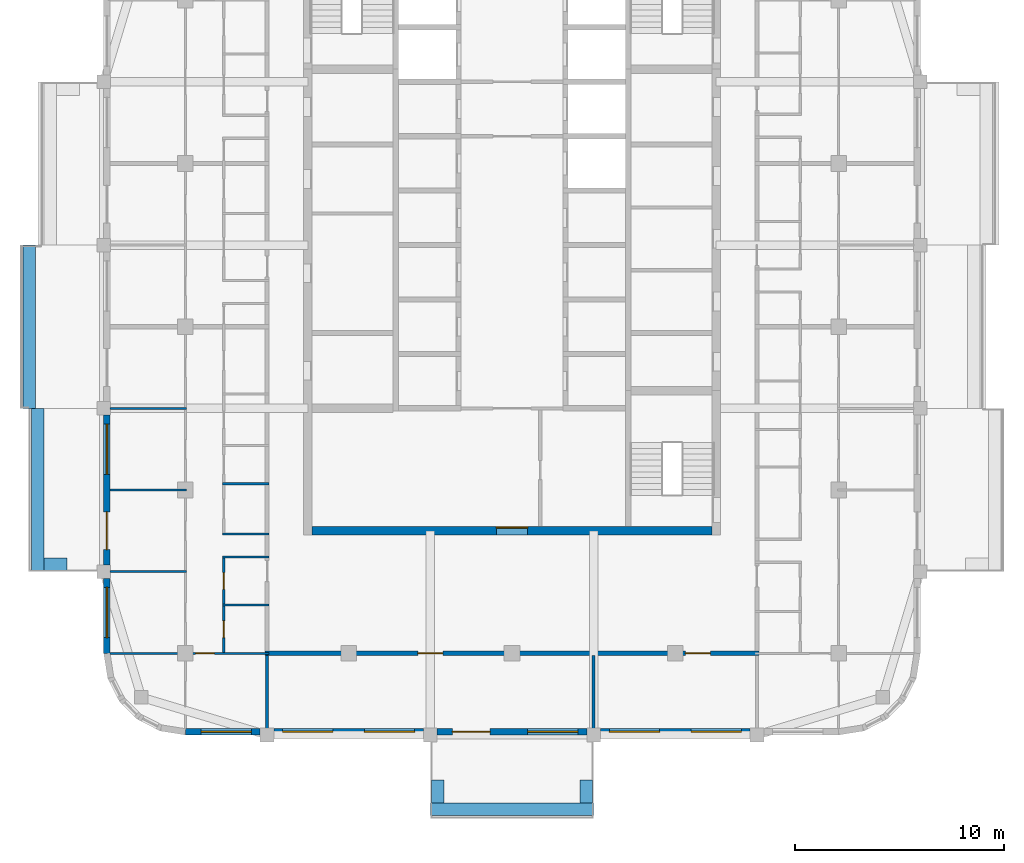
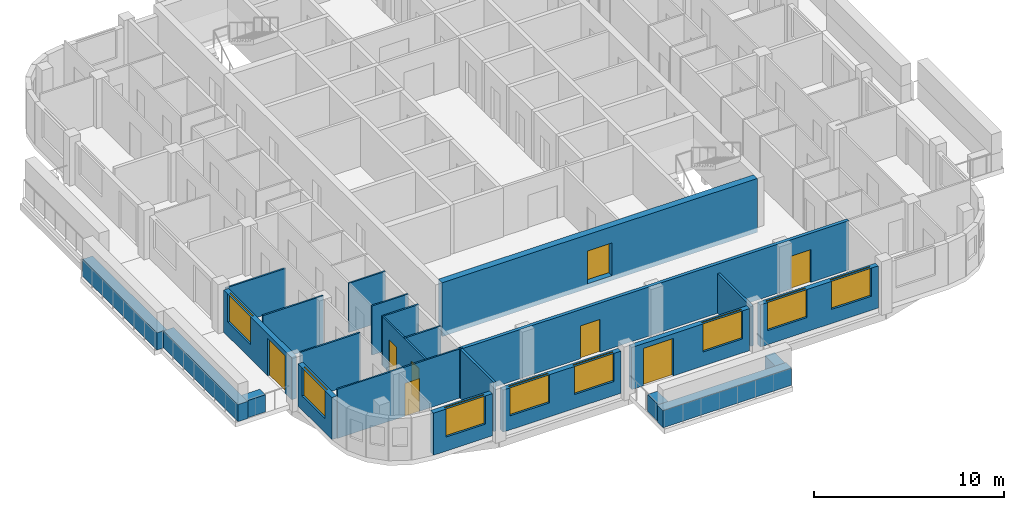
# One storey, part 2 of 13: 25 walls, 8 doors, 8 windows, 16 openings.
"""IFC4 building model written with IfcOpenShell, lengths in metres."""

from ifc_helpers import new_model, si_unit, direction, frame, frame_2d, origin, place, context, subcontext, project, spatial, rectangle, extrude, material, layer, layer_set, type_object, element, fill, save


model = new_model("IFC4")

# Units and contexts
model_context = context("Model", 3, precision=1e-05, world=origin(), true_north=direction((0.0, 1.0)))
body_context = subcontext(model_context, "Body", "Model", "MODEL_VIEW")
ifc_project = project(units=[si_unit("LENGTHUNIT", "METRE"), si_unit("AREAUNIT", "SQUARE_METRE"), si_unit("VOLUMEUNIT", "CUBIC_METRE"), si_unit("PLANEANGLEUNIT", "RADIAN"), si_unit("MASSUNIT", "GRAM", prefix="KILO")], contexts=[model_context])

# Site, building, storey
site_placement = place(None, origin())
site = spatial("IfcSite", under=ifc_project, at=site_placement, CompositionType="ELEMENT")
building_placement = place(site_placement, origin())
building = spatial("IfcBuilding", under=site, at=building_placement, Name="Ludao Terraces", CompositionType="ELEMENT")
storey_placement = place(building_placement, frame((0.0, 0.0, 246.0)))
storey = spatial("IfcBuildingStorey", under=building, at=storey_placement, Name="L67", CompositionType="ELEMENT", Elevation=246.0)

# Wall, opening, door
ifc_material_1 = material(Name="Concrete C50", Category="concrete")
ifc_layer_1 = layer(ifc_material_1, 0.39990234375)
ifc_layer_set_1 = layer_set([ifc_layer_1], Name="Core wall 400 C50")
wall_type_1 = type_object("IfcWallType", Name="Core wall 400 C50", PredefinedType="SOLIDWALL", material=ifc_layer_set_1)
wall_1_placement = place(storey_placement, frame((75.449951171875, 55.25, -0.300048828125), z_axis=(0.0, 0.0, 1.0), x_axis=(1.0, 0.0, 0.0)))
wall_1 = element("IfcWall", 1, at=wall_1_placement, inside=storey, type_object=wall_type_1, Name="Core wall L67 outer-S", PredefinedType="SOLIDWALL", context=body_context, shape_type="SweptSolid", body=[
    extrude(rectangle(XDim=19.10009765625, YDim=0.39990234375, at=frame_2d((9.550048828125, 0.0))), origin(), (0.0, 0.0, 1.0), 3.449951171875),
])
opening_1_placement = place(wall_1_placement, frame((8.800048828125, 0.0, 0.300048828125)))
opening_1 = element("IfcOpeningElement", 2, at=opening_1_placement, cuts=wall_1, Name="Opening R24-016", PredefinedType="OPENING", context=body_context, shape_type="SweptSolid", body=[
    extrude(rectangle(XDim=1.5, YDim=2.10009765625, at=frame_2d((0.75, 1.050048828125))), frame((0.0, 0.2099609375, 0.0), z_axis=(0.0, -1.0, 0.0), x_axis=(1.0, 0.0, 0.0)), (0.0, 0.0, 1.0), 0.419921875),
])
ifc_material_2 = material(Name="Steel Q235", Category="steel")
door_type_1 = type_object("IfcDoorType", Name="INT Lobby door 1500", OperationType="DOUBLE_DOOR_SINGLE_SWING", PredefinedType="DOOR", material=ifc_material_2)
door_1_placement = place(opening_1_placement, origin())
door_1 = element("IfcDoor", 3, at=door_1_placement, inside=storey, type_object=door_type_1, Name="DOOR 016", OperationType="DOUBLE_DOOR_SINGLE_SWING", OverallHeight=2.10009765625, OverallWidth=1.5, PredefinedType="DOOR", context=body_context, shape_type="SweptSolid", body=[
    extrude(rectangle(XDim=1.5, YDim=2.10009765625, at=frame_2d((0.75, 1.050048828125))), frame((0.0, 0.18505859375, 0.0), z_axis=(0.0, -1.0, 0.0), x_axis=(1.0, 0.0, 0.0)), (0.0, 0.0, 1.0), 0.050048828125),
])
fill(opening_1, door_1)

# Walls
ifc_material_3 = material(Name="Concrete C40", Category="concrete")
ifc_layer_2 = layer(ifc_material_3, 0.60009765625)
ifc_layer_set_2 = layer_set([ifc_layer_2], Name="ENV Planter trough 600")
wall_type_2 = type_object("IfcWallType", Name="ENV Planter trough 600", PredefinedType="USERDEFINED", material=ifc_layer_set_2)
wall_2_placement = place(storey_placement, frame((81.10009765625, 41.949951171875, 0.0), z_axis=(0.0, 0.0, 1.0), x_axis=(1.0, 0.0, 0.0)))
element("IfcWall", 4, at=wall_2_placement, inside=storey, type_object=wall_type_2, Name="PL-L67-S1", ObjectType="PLANTER", PredefinedType="USERDEFINED", context=body_context, shape_type="SweptSolid", body=[
    extrude(rectangle(XDim=7.7998046875, YDim=0.60009765625, at=frame_2d((3.89990234375, 0.0))), origin(), (0.0, 0.0, 1.0), 1.10009765625),
])
for number, where, z_axis, x_axis, name in (
    (5, (81.449951171875, 42.25, 0.0), (0.0, 0.0, 1.0), (0.0, 1.0, 0.0), "PL-L67-S1-SA"),
    (6, (88.550048828125, 42.25, 0.0), (0.0, 0.0, 1.0), (0.0, 1.0, 0.0), "PL-L67-S1-SB"),
):
    element("IfcWall", number, at=place(storey_placement, frame(where, z_axis=z_axis, x_axis=x_axis)), inside=storey, type_object=wall_type_2, Name=name, ObjectType="PLANTER", PredefinedType="USERDEFINED", context=body_context, shape_type="SweptSolid", body=[
        extrude(rectangle(XDim=1.10009765625, YDim=0.60009765625, at=frame_2d((0.550048828125, 0.0))), origin(), (0.0, 0.0, 1.0), 1.10009765625),
    ])
wall_3_placement = place(storey_placement, frame((62.35009765625, 53.300048828125, 0.0), z_axis=(0.0, 0.0, 1.0), x_axis=(0.0, 1.0, 0.0)))
element("IfcWall", 7, at=wall_3_placement, inside=storey, type_object=wall_type_2, Name="PL-L67-W1", ObjectType="PLANTER", PredefinedType="USERDEFINED", context=body_context, shape_type="SweptSolid", body=[
    extrude(rectangle(XDim=7.800048828125, YDim=0.60009765625, at=frame_2d((3.89990234375, 0.0))), origin(), (0.0, 0.0, 1.0), 1.10009765625),
])
wall_4_placement = place(storey_placement, frame((62.64990234375, 53.64990234375, 0.0), z_axis=(0.0, 0.0, 1.0), x_axis=(1.0, 0.0, 0.0)))
element("IfcWall", 8, at=wall_4_placement, inside=storey, type_object=wall_type_2, Name="PL-L67-W1-SA", ObjectType="PLANTER", PredefinedType="USERDEFINED", context=body_context, shape_type="SweptSolid", body=[
    extrude(rectangle(XDim=1.10009765625, YDim=0.60009765625, at=frame_2d((0.550048828125, 0.0))), origin(), (0.0, 0.0, 1.0), 1.10009765625),
])
wall_5_placement = place(storey_placement, frame((61.949951171875, 61.10009765625, 0.0), z_axis=(0.0, 0.0, 1.0), x_axis=(0.0, 1.0, 0.0)))
element("IfcWall", 9, at=wall_5_placement, inside=storey, type_object=wall_type_2, Name="PL-L67-W2", ObjectType="PLANTER", PredefinedType="USERDEFINED", context=body_context, shape_type="SweptSolid", body=[
    extrude(rectangle(XDim=7.7998046875, YDim=0.60009765625, at=frame_2d((3.89990234375, 0.0))), origin(), (0.0, 0.0, 1.0), 1.10009765625),
])

# Wall, opening, window
ifc_material_4 = material(Name="Granite cladding", Category="masonry")
ifc_layer_3 = layer(ifc_material_4, 0.0400390625, Category="stone")
ifc_material_5 = material(Name="Mineral wool")
ifc_layer_4 = layer(ifc_material_5, 0.06005859375)
ifc_layer_5 = layer(ifc_material_3, 0.199951171875, Category="concrete")
ifc_layer_set_3 = layer_set([ifc_layer_3, ifc_layer_4, ifc_layer_5], Name="ENV Stone-clad wall 300")
wall_type_3 = type_object("IfcWallType", Name="ENV Stone-clad wall 300", PredefinedType="SOLIDWALL", material=ifc_layer_set_3)
wall_6_placement = place(storey_placement, frame((69.39990234375, 45.64990234375, 0.0), z_axis=(0.0, 0.0, 1.0), x_axis=(1.0, 0.0, 0.0)))
wall_6 = element("IfcWall", 10, at=wall_6_placement, inside=storey, type_object=wall_type_3, Name="EW-L67-S1", PredefinedType="SOLIDWALL", context=body_context, shape_type="SweptSolid", body=[
    extrude(rectangle(XDim=3.5751953125, YDim=0.300048828125, at=frame_2d((1.78759765625, 0.0))), origin(), (0.0, 0.0, 1.0), 2.699951171875),
])
opening_2_placement = place(wall_6_placement, frame((0.75, 0.0, 0.89990234375)))
opening_2 = element("IfcOpeningElement", 11, at=opening_2_placement, cuts=wall_6, Name="Opening W1", PredefinedType="OPENING", context=body_context, shape_type="SweptSolid", body=[
    extrude(rectangle(XDim=2.39990234375, YDim=1.800048828125, at=frame_2d((1.199951171875, 0.89990234375))), frame((0.0, 0.16015625, 0.0), z_axis=(0.0, -1.0, 0.0), x_axis=(1.0, 0.0, 0.0)), (0.0, 0.0, 1.0), 0.320068359375),
])
ifc_material_6 = material(Name="Clear glass in aluminium frame", Category="aluminium")
ifc_layer_6 = layer(ifc_material_6, 0.06005859375)
ifc_layer_set_4 = layer_set([ifc_layer_6], Name="ENV Window W1 2400x1800")
window_type = type_object("IfcWindowType", Name="ENV Window W1 2400x1800", PartitioningType="DOUBLE_PANEL_VERTICAL", PredefinedType="WINDOW", material=ifc_layer_set_4)
window_1_placement = place(opening_2_placement, origin())
window_1 = element("IfcWindow", 12, at=window_1_placement, inside=storey, type_object=window_type, Name="W-L67-S1-1", OverallHeight=1.800048828125, OverallWidth=2.39990234375, PartitioningType="DOUBLE_PANEL_VERTICAL", PredefinedType="WINDOW", context=body_context, shape_type="SweptSolid", body=[
    extrude(rectangle(XDim=2.39990234375, YDim=1.800048828125, at=frame_2d((1.199951171875, 0.89990234375))), frame((0.0, 0.030029296875, 0.0), z_axis=(0.0, -1.0, 0.0), x_axis=(1.0, 0.0, 0.0)), (0.0, 0.0, 1.0), 0.06005859375),
])
fill(opening_2, window_1)

# Wall, openings, windows
wall_7_placement = place(storey_placement, frame((73.625, 45.64990234375, 0.0), z_axis=(0.0, 0.0, 1.0), x_axis=(1.0, 0.0, 0.0)))
wall_7 = element("IfcWall", 13, at=wall_7_placement, inside=storey, type_object=wall_type_3, Name="EW-L67-S2", PredefinedType="SOLIDWALL", context=body_context, shape_type="SweptSolid", body=[
    extrude(rectangle(XDim=7.14990234375, YDim=0.300048828125, at=frame_2d((3.574951171875, 0.0))), origin(), (0.0, 0.0, 1.0), 2.699951171875),
])
opening_3_placement = place(wall_7_placement, frame((0.425048828125, 0.0, 0.89990234375)))
opening_3 = element("IfcOpeningElement", 14, at=opening_3_placement, cuts=wall_7, Name="Opening W1", PredefinedType="OPENING", context=body_context, shape_type="SweptSolid", body=[
    extrude(rectangle(XDim=2.39990234375, YDim=1.800048828125, at=frame_2d((1.199951171875, 0.89990234375))), frame((0.0, 0.16015625, 0.0), z_axis=(0.0, -1.0, 0.0), x_axis=(1.0, 0.0, 0.0)), (0.0, 0.0, 1.0), 0.320068359375),
])
opening_4_placement = place(wall_7_placement, frame((4.324951171875, 0.0, 0.89990234375)))
opening_4 = element("IfcOpeningElement", 15, at=opening_4_placement, cuts=wall_7, Name="Opening W1", PredefinedType="OPENING", context=body_context, shape_type="SweptSolid", body=[
    extrude(rectangle(XDim=2.39990234375, YDim=1.800048828125, at=frame_2d((1.199951171875, 0.89990234375))), frame((0.0, 0.16015625, 0.0), z_axis=(0.0, -1.0, 0.0), x_axis=(1.0, 0.0, 0.0)), (0.0, 0.0, 1.0), 0.320068359375),
])
window_2_placement = place(opening_3_placement, origin())
window_2 = element("IfcWindow", 16, at=window_2_placement, inside=storey, type_object=window_type, Name="W-L67-S2-1", OverallHeight=1.800048828125, OverallWidth=2.39990234375, PartitioningType="DOUBLE_PANEL_VERTICAL", PredefinedType="WINDOW", context=body_context, shape_type="SweptSolid", body=[
    extrude(rectangle(XDim=2.39990234375, YDim=1.800048828125, at=frame_2d((1.199951171875, 0.89990234375))), frame((0.0, 0.030029296875, 0.0), z_axis=(0.0, -1.0, 0.0), x_axis=(1.0, 0.0, 0.0)), (0.0, 0.0, 1.0), 0.06005859375),
])
fill(opening_3, window_2)
window_3_placement = place(opening_4_placement, origin())
window_3 = element("IfcWindow", 17, at=window_3_placement, inside=storey, type_object=window_type, Name="W-L67-S2-2", OverallHeight=1.800048828125, OverallWidth=2.39990234375, PartitioningType="DOUBLE_PANEL_VERTICAL", PredefinedType="WINDOW", context=body_context, shape_type="SweptSolid", body=[
    extrude(rectangle(XDim=2.39990234375, YDim=1.800048828125, at=frame_2d((1.199951171875, 0.89990234375))), frame((0.0, 0.030029296875, 0.0), z_axis=(0.0, -1.0, 0.0), x_axis=(1.0, 0.0, 0.0)), (0.0, 0.0, 1.0), 0.06005859375),
])
fill(opening_4, window_3)

# Wall, openings, door, window
wall_8_placement = place(storey_placement, frame((81.425048828125, 45.64990234375, 0.0), z_axis=(0.0, 0.0, 1.0), x_axis=(1.0, 0.0, 0.0)))
wall_8 = element("IfcWall", 18, at=wall_8_placement, inside=storey, type_object=wall_type_3, Name="EW-L67-S3", PredefinedType="SOLIDWALL", context=body_context, shape_type="SweptSolid", body=[
    extrude(rectangle(XDim=7.14990234375, YDim=0.300048828125, at=frame_2d((3.574951171875, 0.0))), origin(), (0.0, 0.0, 1.0), 2.699951171875),
])
opening_5_placement = place(wall_8_placement, frame((0.72509765625, 0.0, 0.0)))
opening_5 = element("IfcOpeningElement", 19, at=opening_5_placement, cuts=wall_8, Name="Opening BD", PredefinedType="OPENING", context=body_context, shape_type="SweptSolid", body=[
    extrude(rectangle(XDim=1.800048828125, YDim=2.39990234375, at=frame_2d((0.89990234375, 1.199951171875))), frame((0.0, 0.16015625, 0.0), z_axis=(0.0, -1.0, 0.0), x_axis=(1.0, 0.0, 0.0)), (0.0, 0.0, 1.0), 0.320068359375),
])
opening_6_placement = place(wall_8_placement, frame((4.324951171875, 0.0, 0.89990234375)))
opening_6 = element("IfcOpeningElement", 20, at=opening_6_placement, cuts=wall_8, Name="Opening W1", PredefinedType="OPENING", context=body_context, shape_type="SweptSolid", body=[
    extrude(rectangle(XDim=2.39990234375, YDim=1.800048828125, at=frame_2d((1.199951171875, 0.89990234375))), frame((0.0, 0.16015625, 0.0), z_axis=(0.0, -1.0, 0.0), x_axis=(1.0, 0.0, 0.0)), (0.0, 0.0, 1.0), 0.320068359375),
])
ifc_material_7 = material(Name="Aluminium glazed door", Category="aluminium")
ifc_layer_7 = layer(ifc_material_7, 0.06005859375)
ifc_layer_set_5 = layer_set([ifc_layer_7], Name="ENV Balcony door BD 1800x2400")
door_type_2 = type_object("IfcDoorType", Name="ENV Balcony door BD 1800x2400", OperationType="DOUBLE_DOOR_SINGLE_SWING", PredefinedType="DOOR", material=ifc_layer_set_5)
door_2_placement = place(opening_5_placement, origin())
door_2 = element("IfcDoor", 21, at=door_2_placement, inside=storey, type_object=door_type_2, Name="BD-L67-S3-1", OperationType="DOUBLE_DOOR_SINGLE_SWING", OverallHeight=2.39990234375, OverallWidth=1.800048828125, PredefinedType="DOOR", context=body_context, shape_type="SweptSolid", body=[
    extrude(rectangle(XDim=1.800048828125, YDim=2.39990234375, at=frame_2d((0.89990234375, 1.199951171875))), frame((0.0, 0.02490234375, 0.0), z_axis=(0.0, -1.0, 0.0), x_axis=(1.0, 0.0, 0.0)), (0.0, 0.0, 1.0), 0.050048828125),
])
fill(opening_5, door_2)
window_4_placement = place(opening_6_placement, origin())
window_4 = element("IfcWindow", 22, at=window_4_placement, inside=storey, type_object=window_type, Name="W-L67-S3-2", OverallHeight=1.800048828125, OverallWidth=2.39990234375, PartitioningType="DOUBLE_PANEL_VERTICAL", PredefinedType="WINDOW", context=body_context, shape_type="SweptSolid", body=[
    extrude(rectangle(XDim=2.39990234375, YDim=1.800048828125, at=frame_2d((1.199951171875, 0.89990234375))), frame((0.0, 0.030029296875, 0.0), z_axis=(0.0, -1.0, 0.0), x_axis=(1.0, 0.0, 0.0)), (0.0, 0.0, 1.0), 0.06005859375),
])
fill(opening_6, window_4)

# Wall, openings, windows
wall_9_placement = place(storey_placement, frame((89.22509765625, 45.64990234375, 0.0), z_axis=(0.0, 0.0, 1.0), x_axis=(1.0, 0.0, 0.0)))
wall_9 = element("IfcWall", 23, at=wall_9_placement, inside=storey, type_object=wall_type_3, Name="EW-L67-S4", PredefinedType="SOLIDWALL", context=body_context, shape_type="SweptSolid", body=[
    extrude(rectangle(XDim=7.14990234375, YDim=0.300048828125, at=frame_2d((3.574951171875, 0.0))), origin(), (0.0, 0.0, 1.0), 2.699951171875),
])
opening_7_placement = place(wall_9_placement, frame((0.425048828125, 0.0, 0.89990234375)))
opening_7 = element("IfcOpeningElement", 24, at=opening_7_placement, cuts=wall_9, Name="Opening W1", PredefinedType="OPENING", context=body_context, shape_type="SweptSolid", body=[
    extrude(rectangle(XDim=2.39990234375, YDim=1.800048828125, at=frame_2d((1.199951171875, 0.89990234375))), frame((0.0, 0.16015625, 0.0), z_axis=(0.0, -1.0, 0.0), x_axis=(1.0, 0.0, 0.0)), (0.0, 0.0, 1.0), 0.320068359375),
])
opening_8_placement = place(wall_9_placement, frame((4.324951171875, 0.0, 0.89990234375)))
opening_8 = element("IfcOpeningElement", 25, at=opening_8_placement, cuts=wall_9, Name="Opening W1", PredefinedType="OPENING", context=body_context, shape_type="SweptSolid", body=[
    extrude(rectangle(XDim=2.39990234375, YDim=1.800048828125, at=frame_2d((1.199951171875, 0.89990234375))), frame((0.0, 0.16015625, 0.0), z_axis=(0.0, -1.0, 0.0), x_axis=(1.0, 0.0, 0.0)), (0.0, 0.0, 1.0), 0.320068359375),
])
window_5_placement = place(opening_7_placement, origin())
window_5 = element("IfcWindow", 26, at=window_5_placement, inside=storey, type_object=window_type, Name="W-L67-S4-1", OverallHeight=1.800048828125, OverallWidth=2.39990234375, PartitioningType="DOUBLE_PANEL_VERTICAL", PredefinedType="WINDOW", context=body_context, shape_type="SweptSolid", body=[
    extrude(rectangle(XDim=2.39990234375, YDim=1.800048828125, at=frame_2d((1.199951171875, 0.89990234375))), frame((0.0, 0.030029296875, 0.0), z_axis=(0.0, -1.0, 0.0), x_axis=(1.0, 0.0, 0.0)), (0.0, 0.0, 1.0), 0.06005859375),
])
fill(opening_7, window_5)
window_6_placement = place(opening_8_placement, origin())
window_6 = element("IfcWindow", 27, at=window_6_placement, inside=storey, type_object=window_type, Name="W-L67-S4-2", OverallHeight=1.800048828125, OverallWidth=2.39990234375, PartitioningType="DOUBLE_PANEL_VERTICAL", PredefinedType="WINDOW", context=body_context, shape_type="SweptSolid", body=[
    extrude(rectangle(XDim=2.39990234375, YDim=1.800048828125, at=frame_2d((1.199951171875, 0.89990234375))), frame((0.0, 0.030029296875, 0.0), z_axis=(0.0, -1.0, 0.0), x_axis=(1.0, 0.0, 0.0)), (0.0, 0.0, 1.0), 0.06005859375),
])
fill(opening_8, window_6)

# Wall, opening, window
wall_10_placement = place(storey_placement, frame((65.64990234375, 49.39990234375, 0.0), z_axis=(0.0, 0.0, 1.0), x_axis=(0.0, 1.0, 0.0)))
wall_10 = element("IfcWall", 28, at=wall_10_placement, inside=storey, type_object=wall_type_3, Name="EW-L67-W1", PredefinedType="SOLIDWALL", context=body_context, shape_type="SweptSolid", body=[
    extrude(rectangle(XDim=3.5751953125, YDim=0.300048828125, at=frame_2d((1.78759765625, 0.0))), origin(), (0.0, 0.0, 1.0), 2.699951171875),
])
opening_9_placement = place(wall_10_placement, frame((0.75, 0.0, 0.89990234375)))
opening_9 = element("IfcOpeningElement", 29, at=opening_9_placement, cuts=wall_10, Name="Opening W1", PredefinedType="OPENING", context=body_context, shape_type="SweptSolid", body=[
    extrude(rectangle(XDim=2.39990234375, YDim=1.800048828125, at=frame_2d((1.199951171875, 0.89990234375))), frame((0.0, 0.16015625, 0.0), z_axis=(0.0, -1.0, 0.0), x_axis=(1.0, 0.0, 0.0)), (0.0, 0.0, 1.0), 0.320068359375),
])
window_7_placement = place(opening_9_placement, origin())
window_7 = element("IfcWindow", 30, at=window_7_placement, inside=storey, type_object=window_type, Name="W-L67-W1-1", OverallHeight=1.800048828125, OverallWidth=2.39990234375, PartitioningType="DOUBLE_PANEL_VERTICAL", PredefinedType="WINDOW", context=body_context, shape_type="SweptSolid", body=[
    extrude(rectangle(XDim=2.39990234375, YDim=1.800048828125, at=frame_2d((1.199951171875, 0.89990234375))), frame((0.0, 0.030029296875, 0.0), z_axis=(0.0, -1.0, 0.0), x_axis=(1.0, 0.0, 0.0)), (0.0, 0.0, 1.0), 0.06005859375),
])
fill(opening_9, window_7)

# Wall, openings, door, window
wall_11_placement = place(storey_placement, frame((65.64990234375, 53.625, 0.0), z_axis=(0.0, 0.0, 1.0), x_axis=(0.0, 1.0, 0.0)))
wall_11 = element("IfcWall", 31, at=wall_11_placement, inside=storey, type_object=wall_type_3, Name="EW-L67-W2", PredefinedType="SOLIDWALL", context=body_context, shape_type="SweptSolid", body=[
    extrude(rectangle(XDim=7.14990234375, YDim=0.300048828125, at=frame_2d((3.574951171875, 0.0))), origin(), (0.0, 0.0, 1.0), 2.699951171875),
])
opening_10_placement = place(wall_11_placement, frame((0.72509765625, 0.0, 0.0)))
opening_10 = element("IfcOpeningElement", 32, at=opening_10_placement, cuts=wall_11, Name="Opening BD", PredefinedType="OPENING", context=body_context, shape_type="SweptSolid", body=[
    extrude(rectangle(XDim=1.800048828125, YDim=2.39990234375, at=frame_2d((0.89990234375, 1.199951171875))), frame((0.0, 0.16015625, 0.0), z_axis=(0.0, -1.0, 0.0), x_axis=(1.0, 0.0, 0.0)), (0.0, 0.0, 1.0), 0.320068359375),
])
opening_11_placement = place(wall_11_placement, frame((4.324951171875, 0.0, 0.89990234375)))
opening_11 = element("IfcOpeningElement", 33, at=opening_11_placement, cuts=wall_11, Name="Opening W1", PredefinedType="OPENING", context=body_context, shape_type="SweptSolid", body=[
    extrude(rectangle(XDim=2.39990234375, YDim=1.800048828125, at=frame_2d((1.199951171875, 0.89990234375))), frame((0.0, 0.16015625, 0.0), z_axis=(0.0, -1.0, 0.0), x_axis=(1.0, 0.0, 0.0)), (0.0, 0.0, 1.0), 0.320068359375),
])
door_3_placement = place(opening_10_placement, origin())
door_3 = element("IfcDoor", 34, at=door_3_placement, inside=storey, type_object=door_type_2, Name="BD-L67-W2-1", OperationType="DOUBLE_DOOR_SINGLE_SWING", OverallHeight=2.39990234375, OverallWidth=1.800048828125, PredefinedType="DOOR", context=body_context, shape_type="SweptSolid", body=[
    extrude(rectangle(XDim=1.800048828125, YDim=2.39990234375, at=frame_2d((0.89990234375, 1.199951171875))), frame((0.0, 0.02490234375, 0.0), z_axis=(0.0, -1.0, 0.0), x_axis=(1.0, 0.0, 0.0)), (0.0, 0.0, 1.0), 0.050048828125),
])
fill(opening_10, door_3)
window_8_placement = place(opening_11_placement, origin())
window_8 = element("IfcWindow", 35, at=window_8_placement, inside=storey, type_object=window_type, Name="W-L67-W2-2", OverallHeight=1.800048828125, OverallWidth=2.39990234375, PartitioningType="DOUBLE_PANEL_VERTICAL", PredefinedType="WINDOW", context=body_context, shape_type="SweptSolid", body=[
    extrude(rectangle(XDim=2.39990234375, YDim=1.800048828125, at=frame_2d((1.199951171875, 0.89990234375))), frame((0.0, 0.030029296875, 0.0), z_axis=(0.0, -1.0, 0.0), x_axis=(1.0, 0.0, 0.0)), (0.0, 0.0, 1.0), 0.06005859375),
])
fill(opening_11, window_8)

# Wall, openings, doors
ifc_material_8 = material(Name="Autoclaved aerated concrete block B06 A3.5", Category="concrete")
ifc_layer_8 = layer(ifc_material_8, 0.199951171875)
ifc_layer_set_6 = layer_set([ifc_layer_8], Name="INT Entrance wall 200")
wall_type_4 = type_object("IfcWallType", Name="INT Entrance wall 200", PredefinedType="PARTITIONING", material=ifc_layer_set_6)
wall_12_placement = place(storey_placement, frame((73.2001953125, 49.39990234375, 0.0), z_axis=(0.0, 0.0, 1.0), x_axis=(1.0, 0.0, 0.0)))
wall_12 = element("IfcWall", 36, at=wall_12_placement, inside=storey, type_object=wall_type_4, Name="PW-L67-PW001", PredefinedType="PARTITIONING", context=body_context, shape_type="SweptSolid", body=[
    extrude(rectangle(XDim=23.599853515625, YDim=0.199951171875, at=frame_2d((11.7998046875, 0.0))), origin(), (0.0, 0.0, 1.0), 3.14990234375),
])
opening_12_placement = place(wall_12_placement, frame((7.2998046875, 0.0, 0.0)))
opening_12 = element("IfcOpeningElement", 37, at=opening_12_placement, cuts=wall_12, Name="Opening R24-004", PredefinedType="OPENING", context=body_context, shape_type="SweptSolid", body=[
    extrude(rectangle(XDim=1.199951171875, YDim=2.10009765625, at=frame_2d((0.60009765625, 1.050048828125))), frame((0.0, 0.10986328125, 0.0), z_axis=(0.0, -1.0, 0.0), x_axis=(1.0, 0.0, 0.0)), (0.0, 0.0, 1.0), 0.219970703125),
])
opening_13_placement = place(wall_12_placement, frame((20.074951171875, 0.0, 0.0)))
opening_13 = element("IfcOpeningElement", 38, at=opening_13_placement, cuts=wall_12, Name="Opening R24-005", PredefinedType="OPENING", context=body_context, shape_type="SweptSolid", body=[
    extrude(rectangle(XDim=1.199951171875, YDim=2.10009765625, at=frame_2d((0.60009765625, 1.050048828125))), frame((0.0, 0.10986328125, 0.0), z_axis=(0.0, -1.0, 0.0), x_axis=(1.0, 0.0, 0.0)), (0.0, 0.0, 1.0), 0.219970703125),
])
ifc_material_9 = material(Name="Timber door leaf", Category="wood")
door_type_3 = type_object("IfcDoorType", Name="INT Double door 1200", OperationType="DOUBLE_DOOR_SINGLE_SWING", PredefinedType="DOOR", material=ifc_material_9)
door_4_placement = place(opening_12_placement, origin())
door_4 = element("IfcDoor", 39, at=door_4_placement, inside=storey, type_object=door_type_3, Name="DOOR 004", OperationType="DOUBLE_DOOR_SINGLE_SWING", OverallHeight=2.10009765625, OverallWidth=1.199951171875, PredefinedType="DOOR", context=body_context, shape_type="SweptSolid", body=[
    extrude(rectangle(XDim=1.199951171875, YDim=2.10009765625, at=frame_2d((0.60009765625, 1.050048828125))), frame((0.0, 0.02490234375, 0.0), z_axis=(0.0, -1.0, 0.0), x_axis=(1.0, 0.0, 0.0)), (0.0, 0.0, 1.0), 0.050048828125),
])
fill(opening_12, door_4)
door_5_placement = place(opening_13_placement, origin())
door_5 = element("IfcDoor", 40, at=door_5_placement, inside=storey, type_object=door_type_3, Name="DOOR 005", OperationType="DOUBLE_DOOR_SINGLE_SWING", OverallHeight=2.10009765625, OverallWidth=1.199951171875, PredefinedType="DOOR", context=body_context, shape_type="SweptSolid", body=[
    extrude(rectangle(XDim=1.199951171875, YDim=2.10009765625, at=frame_2d((0.60009765625, 1.050048828125))), frame((0.0, 0.02490234375, 0.0), z_axis=(0.0, -1.0, 0.0), x_axis=(1.0, 0.0, 0.0)), (0.0, 0.0, 1.0), 0.050048828125),
])
fill(opening_13, door_5)

# Wall, opening, door
ifc_material_10 = material(Name="Gypsum plasterboard", Category="gypsum")
ifc_layer_9 = layer(ifc_material_10, 0.012451171875, Category="gypsum")
ifc_layer_10 = layer(ifc_material_5, 0.06005859375, Name="insulation")
ifc_layer_11 = layer(ifc_material_2, 0.014892578125, Name="stud")
ifc_layer_12 = layer(ifc_material_10, 0.012451171875, Category="gypsum")
ifc_layer_set_7 = layer_set([ifc_layer_9, ifc_layer_10, ifc_layer_11, ifc_layer_12], Name="INT Partition 100")
wall_type_5 = type_object("IfcWallType", Name="INT Partition 100", PredefinedType="PARTITIONING", material=ifc_layer_set_7)
wall_13_placement = place(storey_placement, frame((65.800048828125, 49.39990234375, 0.0), z_axis=(0.0, 0.0, 1.0), x_axis=(1.0, 0.0, 0.0)))
wall_13 = element("IfcWall", 41, at=wall_13_placement, inside=storey, type_object=wall_type_5, Name="PW-L67-PW000", PredefinedType="PARTITIONING", context=body_context, shape_type="SweptSolid", body=[
    extrude(rectangle(XDim=7.60009765625, YDim=0.10009765625, at=frame_2d((3.800048828125, 0.0))), origin(), (0.0, 0.0, 1.0), 3.14990234375),
])
opening_14_placement = place(wall_13_placement, frame((4.090087890625, 0.0, 0.0)))
opening_14 = element("IfcOpeningElement", 42, at=opening_14_placement, cuts=wall_13, Name="Opening R24-003", PredefinedType="OPENING", context=body_context, shape_type="SweptSolid", body=[
    extrude(rectangle(XDim=0.89990234375, YDim=2.10009765625, at=frame_2d((0.449951171875, 1.050048828125))), frame((0.0, 0.06005859375, 0.0), z_axis=(0.0, -1.0, 0.0), x_axis=(1.0, 0.0, 0.0)), (0.0, 0.0, 1.0), 0.1201171875),
])
door_type_4 = type_object("IfcDoorType", Name="INT Room door 900", OperationType="SINGLE_SWING_LEFT", PredefinedType="DOOR", material=ifc_material_9)
door_6_placement = place(opening_14_placement, origin())
door_6 = element("IfcDoor", 43, at=door_6_placement, inside=storey, type_object=door_type_4, Name="DOOR 003", OperationType="SINGLE_SWING_RIGHT", OverallHeight=2.10009765625, OverallWidth=0.89990234375, PredefinedType="DOOR", context=body_context, shape_type="SweptSolid", body=[
    extrude(rectangle(XDim=0.89990234375, YDim=2.10009765625, at=frame_2d((0.449951171875, 1.050048828125))), frame((0.0, 0.02490234375, 0.0), z_axis=(0.0, -1.0, 0.0), x_axis=(1.0, 0.0, 0.0)), (0.0, 0.0, 1.0), 0.050048828125),
])
fill(opening_14, door_6)

# Walls
wall_14_placement = place(storey_placement, frame((71.18017578125, 51.699951171875, 0.0), z_axis=(0.0, 0.0, 1.0), x_axis=(1.0, 0.0, 0.0)))
element("IfcWall", 44, at=wall_14_placement, inside=storey, type_object=wall_type_5, Name="PW-L67-PW004", PredefinedType="PARTITIONING", context=body_context, shape_type="SweptSolid", body=[
    extrude(rectangle(XDim=2.219970703125, YDim=0.10009765625, at=frame_2d((1.10986328125, 0.0))), origin(), (0.0, 0.0, 1.0), 3.14990234375),
])
wall_15_placement = place(storey_placement, frame((65.800048828125, 53.300048828125, 0.0), z_axis=(0.0, 0.0, 1.0), x_axis=(1.0, 0.0, 0.0)))
element("IfcWall", 45, at=wall_15_placement, inside=storey, type_object=wall_type_5, Name="PW-L67-PW005", PredefinedType="PARTITIONING", context=body_context, shape_type="SweptSolid", body=[
    extrude(rectangle(XDim=3.650146484375, YDim=0.10009765625, at=frame_2d((1.8251953125, 0.0))), origin(), (0.0, 0.0, 1.0), 3.14990234375),
])
for number, where, z_axis, x_axis, name in (
    (46, (71.18017578125, 54.0, 0.0), (0.0, 0.0, 1.0), (1.0, 0.0, 0.0), "PW-L67-PW007"),
    (47, (71.18017578125, 55.10009765625, 0.0), (0.0, 0.0, 1.0), (1.0, 0.0, 0.0), "PW-L67-PW009"),
):
    element("IfcWall", number, at=place(storey_placement, frame(where, z_axis=z_axis, x_axis=x_axis)), inside=storey, type_object=wall_type_5, Name=name, PredefinedType="PARTITIONING", context=body_context, shape_type="SweptSolid", body=[
        extrude(rectangle(XDim=2.219970703125, YDim=0.10009765625, at=frame_2d((1.10986328125, 0.0))), origin(), (0.0, 0.0, 1.0), 3.14990234375),
    ])
wall_16_placement = place(storey_placement, frame((65.800048828125, 57.199951171875, 0.0), z_axis=(0.0, 0.0, 1.0), x_axis=(1.0, 0.0, 0.0)))
element("IfcWall", 48, at=wall_16_placement, inside=storey, type_object=wall_type_5, Name="PW-L67-PW010", PredefinedType="PARTITIONING", context=body_context, shape_type="SweptSolid", body=[
    extrude(rectangle(XDim=3.650146484375, YDim=0.10009765625, at=frame_2d((1.8251953125, 0.0))), origin(), (0.0, 0.0, 1.0), 3.14990234375),
])
wall_17_placement = place(storey_placement, frame((71.18017578125, 57.5, 0.0), z_axis=(0.0, 0.0, 1.0), x_axis=(1.0, 0.0, 0.0)))
element("IfcWall", 49, at=wall_17_placement, inside=storey, type_object=wall_type_5, Name="PW-L67-PW012", PredefinedType="PARTITIONING", context=body_context, shape_type="SweptSolid", body=[
    extrude(rectangle(XDim=2.219970703125, YDim=0.10009765625, at=frame_2d((1.10986328125, 0.0))), origin(), (0.0, 0.0, 1.0), 3.14990234375),
])
wall_18_placement = place(storey_placement, frame((65.800048828125, 61.10009765625, 0.0), z_axis=(0.0, 0.0, 1.0), x_axis=(1.0, 0.0, 0.0)))
element("IfcWall", 50, at=wall_18_placement, inside=storey, type_object=wall_type_5, Name="PW-L67-PW016", PredefinedType="PARTITIONING", context=body_context, shape_type="SweptSolid", body=[
    extrude(rectangle(XDim=3.650146484375, YDim=0.10009765625, at=frame_2d((1.8251953125, 0.0))), origin(), (0.0, 0.0, 1.0), 2.550048828125),
])

# Wall, openings, doors
wall_19_placement = place(storey_placement, frame((71.22998046875, 49.4501953125, 0.0), z_axis=(0.0, 0.0, 1.0), x_axis=(0.0, 1.0, 0.0)))
wall_19 = element("IfcWall", 51, at=wall_19_placement, inside=storey, type_object=wall_type_5, Name="PW-L67-PW047", PredefinedType="PARTITIONING", context=body_context, shape_type="SweptSolid", body=[
    extrude(rectangle(XDim=4.5, YDim=0.10009765625, at=frame_2d((2.25, 0.0))), origin(), (0.0, 0.0, 1.0), 3.14990234375),
])
opening_15_placement = place(wall_19_placement, frame((0.699951171875, 0.0, 0.0)))
opening_15 = element("IfcOpeningElement", 52, at=opening_15_placement, cuts=wall_19, Name="Opening R24-008", PredefinedType="OPENING", context=body_context, shape_type="SweptSolid", body=[
    extrude(rectangle(XDim=0.800048828125, YDim=2.10009765625, at=frame_2d((0.39990234375, 1.050048828125))), frame((0.0, 0.06005859375, 0.0), z_axis=(0.0, -1.0, 0.0), x_axis=(1.0, 0.0, 0.0)), (0.0, 0.0, 1.0), 0.1201171875),
])
opening_16_placement = place(wall_19_placement, frame((3.0, 0.0, 0.0)))
opening_16 = element("IfcOpeningElement", 53, at=opening_16_placement, cuts=wall_19, Name="Opening R24-011", PredefinedType="OPENING", context=body_context, shape_type="SweptSolid", body=[
    extrude(rectangle(XDim=0.800048828125, YDim=2.10009765625, at=frame_2d((0.39990234375, 1.050048828125))), frame((0.0, 0.06005859375, 0.0), z_axis=(0.0, -1.0, 0.0), x_axis=(1.0, 0.0, 0.0)), (0.0, 0.0, 1.0), 0.1201171875),
])
door_type_5 = type_object("IfcDoorType", Name="INT Store door 800", OperationType="SINGLE_SWING_LEFT", PredefinedType="DOOR", material=ifc_material_9)
door_7_placement = place(opening_15_placement, origin())
door_7 = element("IfcDoor", 54, at=door_7_placement, inside=storey, type_object=door_type_5, Name="DOOR 008", OperationType="SINGLE_SWING_RIGHT", OverallHeight=2.10009765625, OverallWidth=0.800048828125, PredefinedType="DOOR", context=body_context, shape_type="SweptSolid", body=[
    extrude(rectangle(XDim=0.800048828125, YDim=2.10009765625, at=frame_2d((0.39990234375, 1.050048828125))), frame((0.0, 0.02490234375, 0.0), z_axis=(0.0, -1.0, 0.0), x_axis=(1.0, 0.0, 0.0)), (0.0, 0.0, 1.0), 0.050048828125),
])
fill(opening_15, door_7)
door_8_placement = place(opening_16_placement, origin())
door_8 = element("IfcDoor", 55, at=door_8_placement, inside=storey, type_object=door_type_5, Name="DOOR 011", OperationType="SINGLE_SWING_RIGHT", OverallHeight=2.10009765625, OverallWidth=0.800048828125, PredefinedType="DOOR", context=body_context, shape_type="SweptSolid", body=[
    extrude(rectangle(XDim=0.800048828125, YDim=2.10009765625, at=frame_2d((0.39990234375, 1.050048828125))), frame((0.0, 0.02490234375, 0.0), z_axis=(0.0, -1.0, 0.0), x_axis=(1.0, 0.0, 0.0)), (0.0, 0.0, 1.0), 0.050048828125),
])
fill(opening_16, door_8)

# Walls
ifc_layer_13 = layer(ifc_material_8, 0.14990234375)
ifc_layer_set_8 = layer_set([ifc_layer_13], Name="INT Party wall 150")
wall_type_6 = type_object("IfcWallType", Name="INT Party wall 150", PredefinedType="PARTITIONING", material=ifc_layer_set_8)
wall_20_placement = place(storey_placement, frame((73.300048828125, 45.800048828125, 0.0), z_axis=(0.0, 0.0, 1.0), x_axis=(0.0, 1.0, 0.0)))
element("IfcWall", 56, at=wall_20_placement, inside=storey, type_object=wall_type_6, Name="PW-L67-PW051", PredefinedType="PARTITIONING", context=body_context, shape_type="SweptSolid", body=[
    extrude(rectangle(XDim=3.5, YDim=0.14990234375, at=frame_2d((1.75, 0.0))), origin(), (0.0, 0.0, 1.0), 3.14990234375),
])
wall_21_placement = place(storey_placement, frame((88.89990234375, 45.800048828125, 0.0), z_axis=(0.0, 0.0, 1.0), x_axis=(0.0, 1.0, 0.0)))
element("IfcWall", 57, at=wall_21_placement, inside=storey, type_object=wall_type_6, Name="PW-L67-PW054", PredefinedType="PARTITIONING", context=body_context, shape_type="SweptSolid", body=[
    extrude(rectangle(XDim=3.5, YDim=0.14990234375, at=frame_2d((1.75, 0.0))), origin(), (0.0, 0.0, 1.0), 2.550048828125),
])

save(model, "model.ifc")
